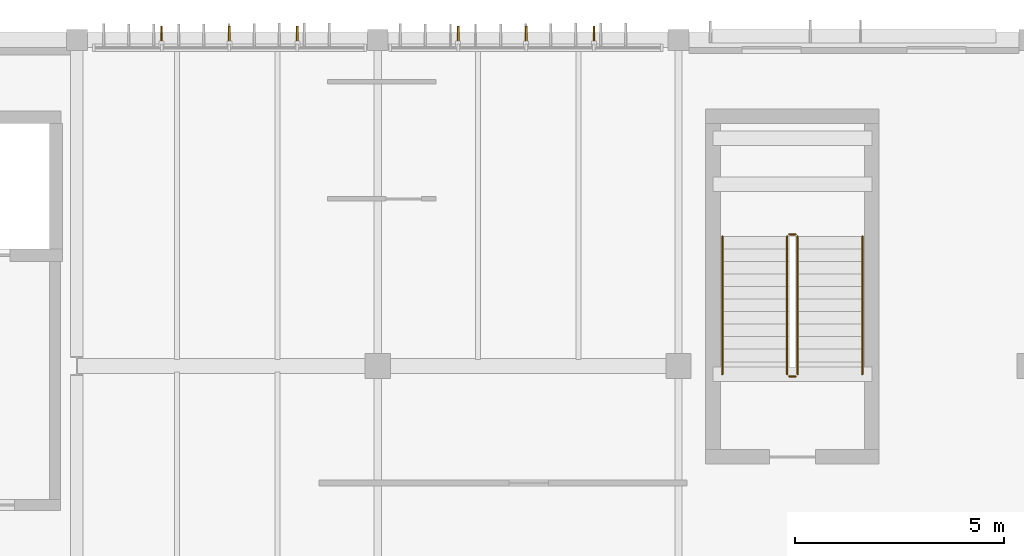
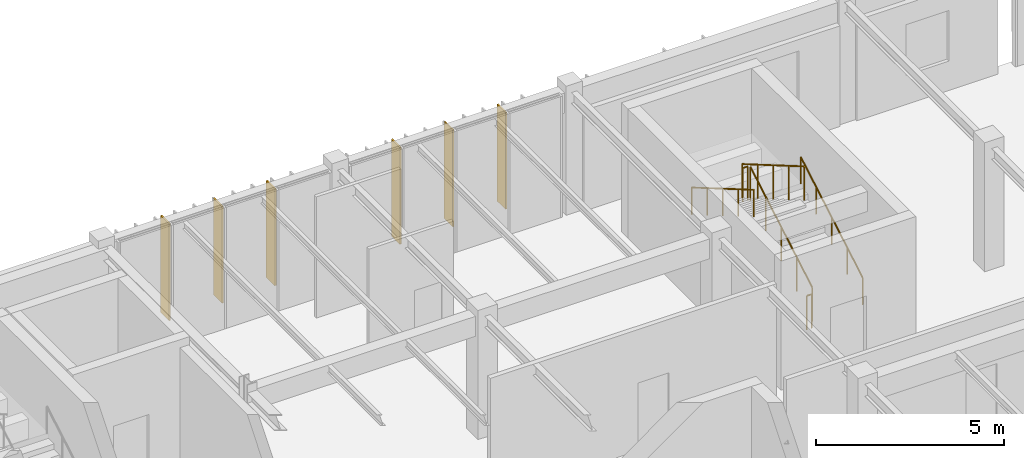
# One storey, part 120 of 122: 6 railings, 6 shading devices.
"""IFC4 building model written with IfcOpenShell, lengths in metres."""

from ifc_helpers import new_model, si_unit, direction, frame, origin, origin_2d, place, context, subcontext, project, spatial, rectangle, circle, extrude, material, layer, layer_set, material_profile, profile_set, type_object, element, save


model = new_model("IFC4")

# Units and contexts
model_context = context("Model", 3, precision=1e-05, world=origin(), true_north=direction((0.0, 1.0)))
body_context = subcontext(model_context, "Body", "Model", "MODEL_VIEW")
ifc_project = project(units=[si_unit("LENGTHUNIT", "METRE"), si_unit("AREAUNIT", "SQUARE_METRE"), si_unit("VOLUMEUNIT", "CUBIC_METRE"), si_unit("PLANEANGLEUNIT", "RADIAN"), si_unit("MASSUNIT", "GRAM", prefix="KILO")], contexts=[model_context])

# Site, building, storey
site_placement = place(None, origin())
site = spatial("IfcSite", under=ifc_project, at=site_placement, CompositionType="ELEMENT")
building_placement = place(site_placement, origin())
building = spatial("IfcBuilding", under=site, at=building_placement, Name="Tazoul Stagehouse", CompositionType="ELEMENT")
storey_placement = place(building_placement, frame((0.0, 0.0, 4.800048828125)))
storey = spatial("IfcBuildingStorey", under=building, at=storey_placement, Name="L01", CompositionType="ELEMENT", Elevation=4.800048828125)

# Shading devices
ifc_material_1 = material(Name="Anodised Bronze Aluminium 6063-T6", Category="aluminium")
ifc_layer_1 = layer(ifc_material_1, 0.050048828125, Name="Anodised Bronze Aluminium 6063-T6")
ifc_layer_set_1 = layer_set([ifc_layer_1], Name="Anodised Bronze Aluminium 6063-T6")
shading_device_type_1 = type_object("IfcShadingDeviceType", Name="Angled Acoustic Sun-Screen Blade 460", PredefinedType="USERDEFINED", material=ifc_layer_set_1)
for number, where, z_axis, x_axis, name in (
    (1, (104.625, 111.89990234375, 0.75), (0.0, 0.0, 1.0), (1.0, 0.0, 0.0), "Shading Louvre FIN-02 CW-V3-N1-L01-B1-SHD01"),
    (2, (107.875, 111.89990234375, 0.75), (0.0, 0.0, 1.0), (1.0, 0.0, 0.0), "Shading Louvre FIN-02 CW-V3-N1-L01-B1-SHD03"),
    (3, (111.72509765625, 111.89990234375, 0.75), (0.0, 0.0, 1.0), (1.0, 0.0, 0.0), "Shading Louvre FIN-02 CW-V3-N1-L01-B2-SHD01"),
    (4, (114.97509765625, 111.89990234375, 0.75), (0.0, 0.0, 1.0), (1.0, 0.0, 0.0), "Shading Louvre FIN-02 CW-V3-N1-L01-B2-SHD03"),
):
    element("IfcShadingDevice", number, at=place(storey_placement, frame(where, z_axis=z_axis, x_axis=x_axis)), inside=storey, type_object=shading_device_type_1, Name=name, ObjectType="FIN", PredefinedType="USERDEFINED", context=body_context, shape_type="SweptSolid", body=[
        extrude(rectangle(XDim=0.044921875, YDim=0.4599609375, at=origin_2d()), origin(), (0.0, 0.0, 1.0), 3.14990234375),
    ])

# Railings
ifc_material_2 = material(Name="Brushed Stainless Steel 316L", Category="steel")
ifc_material_profile_1 = material_profile(ifc_material_2, circle(Radius=0.02392578125, at=origin_2d()), Name="SS RAIL D48")
ifc_profile_set_1 = profile_set([ifc_material_profile_1], Name="Brushed Stainless Steel 316L")
railing_type_1 = type_object("IfcRailingType", Name="Architectural Guardrail H1120", PredefinedType="GUARDRAIL", material=ifc_profile_set_1)
railing_1_placement = place(storey_placement, frame((119.85009765625, 103.800048828125, 0.175048828125)))
element("IfcRailing", 5, at=railing_1_placement, inside=storey, type_object=railing_type_1, Name="L01 ST-02 stair guard 1", PredefinedType="GUARDRAIL", context=body_context, shape_type="SweptSolid", body=[
    extrude(circle(Radius=0.02392578125, at=origin_2d()), frame((0.0, 0.0, 1.09619140625), z_axis=(0.0, 0.863804395585, 0.503827317807), x_axis=(-1.0, 0.0, 0.0)), (0.0, 0.0, 1.0), 3.8203125),
    extrude(circle(Radius=0.02099609375, at=origin_2d()), origin(), (0.0, 0.0, 1.0), 1.072021484375),
    extrude(circle(Radius=0.02099609375, at=origin_2d()), frame((0.0, 0.824951171875, 0.481201171875)), (0.0, 0.0, 1.0), 1.072021484375),
    extrude(circle(Radius=0.02099609375, at=origin_2d()), frame((0.0, 1.64990234375, 0.96240234375)), (0.0, 0.0, 1.0), 1.072021484375),
    extrude(circle(Radius=0.02099609375, at=origin_2d()), frame((0.0, 2.47509765625, 1.443603515625)), (0.0, 0.0, 1.0), 1.072021484375),
    extrude(circle(Radius=0.02099609375, at=origin_2d()), frame((0.0, 3.300048828125, 1.9248046875)), (0.0, 0.0, 1.0), 1.072021484375),
])
railing_2_placement = place(storey_placement, frame((119.800048828125, 107.14990234375, 2.099853515625)))
element("IfcRailing", 6, at=railing_2_placement, inside=storey, type_object=railing_type_1, Name="L01 ST-02 stair guard 2", PredefinedType="GUARDRAIL", context=body_context, shape_type="SweptSolid", body=[
    extrude(circle(Radius=0.02392578125, at=origin_2d()), frame((0.0, 0.0, 1.09619140625), z_axis=(-1.0, 0.0, 0.0), x_axis=(0.0, -1.0, 0.0)), (0.0, 0.0, 1.0), 0.150146484375),
    extrude(circle(Radius=0.02099609375, at=origin_2d()), origin(), (0.0, 0.0, 1.0), 1.072021484375),
    extrude(circle(Radius=0.02099609375, at=origin_2d()), frame((-0.150146484375, 0.0, 0.0)), (0.0, 0.0, 1.0), 1.072021484375),
])
railing_3_placement = place(storey_placement, frame((119.60009765625, 107.10009765625, 2.27490234375)))
element("IfcRailing", 7, at=railing_3_placement, inside=storey, type_object=railing_type_1, Name="L01 ST-02 stair guard 3", PredefinedType="GUARDRAIL", context=body_context, shape_type="SweptSolid", body=[
    extrude(circle(Radius=0.02392578125, at=origin_2d()), frame((0.0, 0.0, 1.09619140625), z_axis=(0.0, -0.863776583165, 0.503874998761), x_axis=(1.0, 0.0, 0.0)), (0.0, 0.0, 1.0), 3.820556640625),
    extrude(circle(Radius=0.02099609375, at=origin_2d()), origin(), (0.0, 0.0, 1.0), 1.072021484375),
    extrude(circle(Radius=0.02099609375, at=origin_2d()), frame((0.0, -0.824951171875, 0.481201171875)), (0.0, 0.0, 1.0), 1.072021484375),
    extrude(circle(Radius=0.02099609375, at=origin_2d()), frame((0.0, -1.64990234375, 0.96240234375)), (0.0, 0.0, 1.0), 1.072021484375),
    extrude(circle(Radius=0.02099609375, at=origin_2d()), frame((0.0, -2.47509765625, 1.44384765625)), (0.0, 0.0, 1.0), 1.072021484375),
    extrude(circle(Radius=0.02099609375, at=origin_2d()), frame((0.0, -3.300048828125, 1.925048828125)), (0.0, 0.0, 1.0), 1.072021484375),
])
railing_4_placement = place(storey_placement, frame((119.800048828125, 103.75, 0.0)))
element("IfcRailing", 8, at=railing_4_placement, inside=storey, type_object=railing_type_1, Name="L01 ST-02 stair guard 4", PredefinedType="GUARDRAIL", context=body_context, shape_type="SweptSolid", body=[
    extrude(circle(Radius=0.02392578125, at=origin_2d()), frame((0.0, 0.0, 1.09619140625), z_axis=(-1.0, 0.0, 0.0), x_axis=(0.0, -1.0, 0.0)), (0.0, 0.0, 1.0), 0.150146484375),
    extrude(circle(Radius=0.02099609375, at=origin_2d()), origin(), (0.0, 0.0, 1.0), 1.072021484375),
    extrude(circle(Radius=0.02099609375, at=origin_2d()), frame((-0.150146484375, 0.0, 0.0)), (0.0, 0.0, 1.0), 1.072021484375),
])
ifc_material_profile_2 = material_profile(ifc_material_2, circle(Radius=0.02099609375, at=origin_2d()), Name="SS HANDRAIL D42")
ifc_profile_set_2 = profile_set([ifc_material_profile_2], Name="Brushed Stainless Steel 316L")
railing_type_2 = type_object("IfcRailingType", Name="Continuous Stair Handrail H900", PredefinedType="HANDRAIL", material=ifc_profile_set_2)
railing_5_placement = place(storey_placement, frame((121.39990234375, 103.800048828125, 0.175048828125)))
element("IfcRailing", 9, at=railing_5_placement, inside=storey, type_object=railing_type_2, Name="L01 ST-02 stair handrail 1", PredefinedType="HANDRAIL", context=body_context, shape_type="SweptSolid", body=[
    extrude(circle(Radius=0.02392578125, at=origin_2d()), frame((0.0, 0.0, 0.8759765625), z_axis=(0.0, 0.863804395585, 0.503827317807), x_axis=(-1.0, 0.0, 0.0)), (0.0, 0.0, 1.0), 3.8203125),
    extrude(circle(Radius=0.02099609375, at=origin_2d()), origin(), (0.0, 0.0, 1.0), 0.851806640625),
    extrude(circle(Radius=0.02099609375, at=origin_2d()), frame((0.0, 0.824951171875, 0.481201171875)), (0.0, 0.0, 1.0), 0.851806640625),
    extrude(circle(Radius=0.02099609375, at=origin_2d()), frame((0.0, 1.64990234375, 0.96240234375)), (0.0, 0.0, 1.0), 0.851806640625),
    extrude(circle(Radius=0.02099609375, at=origin_2d()), frame((0.0, 2.47509765625, 1.443603515625)), (0.0, 0.0, 1.0), 0.851806640625),
    extrude(circle(Radius=0.02099609375, at=origin_2d()), frame((0.0, 3.300048828125, 1.9248046875)), (0.0, 0.0, 1.0), 0.851806640625),
])
railing_6_placement = place(storey_placement, frame((118.050048828125, 107.10009765625, 2.27490234375)))
element("IfcRailing", 10, at=railing_6_placement, inside=storey, type_object=railing_type_2, Name="L01 ST-02 stair handrail 2", PredefinedType="HANDRAIL", context=body_context, shape_type="SweptSolid", body=[
    extrude(circle(Radius=0.02392578125, at=origin_2d()), frame((0.0, 0.0, 0.8759765625), z_axis=(0.0, -0.863776583165, 0.503874998761), x_axis=(1.0, 0.0, 0.0)), (0.0, 0.0, 1.0), 3.820556640625),
    extrude(circle(Radius=0.02099609375, at=origin_2d()), origin(), (0.0, 0.0, 1.0), 0.851806640625),
    extrude(circle(Radius=0.02099609375, at=origin_2d()), frame((0.0, -0.824951171875, 0.481201171875)), (0.0, 0.0, 1.0), 0.851806640625),
    extrude(circle(Radius=0.02099609375, at=origin_2d()), frame((0.0, -1.64990234375, 0.96240234375)), (0.0, 0.0, 1.0), 0.851806640625),
    extrude(circle(Radius=0.02099609375, at=origin_2d()), frame((0.0, -2.47509765625, 1.44384765625)), (0.0, 0.0, 1.0), 0.851806640625),
    extrude(circle(Radius=0.02099609375, at=origin_2d()), frame((0.0, -3.300048828125, 1.925048828125)), (0.0, 0.0, 1.0), 0.851806640625),
])

# Shading devices
ifc_layer_2 = layer(ifc_material_1, 0.044921875, Name="Anodised Bronze Aluminium 6063-T6")
ifc_layer_set_2 = layer_set([ifc_layer_2], Name="Anodised Bronze Aluminium 6063-T6")
shading_device_type_2 = type_object("IfcShadingDeviceType", Name="Vertical Extruded Terracotta-Bronze Louvre 460", PredefinedType="JALOUSIE", material=ifc_layer_set_2)
for number, where, z_axis, x_axis, name in (
    (11, (106.25, 111.89990234375, 0.75), (0.0, 0.0, 1.0), (1.0, 0.0, 0.0), "Shading Louvre FIN-01 CW-V3-N1-L01-B1-SHD02"),
    (12, (113.35009765625, 111.89990234375, 0.75), (0.0, 0.0, 1.0), (1.0, 0.0, 0.0), "Shading Louvre FIN-01 CW-V3-N1-L01-B2-SHD02"),
):
    element("IfcShadingDevice", number, at=place(storey_placement, frame(where, z_axis=z_axis, x_axis=x_axis)), inside=storey, type_object=shading_device_type_2, Name=name, PredefinedType="JALOUSIE", context=body_context, shape_type="SweptSolid", body=[
        extrude(rectangle(XDim=0.044921875, YDim=0.4599609375, at=origin_2d()), origin(), (0.0, 0.0, 1.0), 3.14990234375),
    ])

save(model, "model.ifc")
